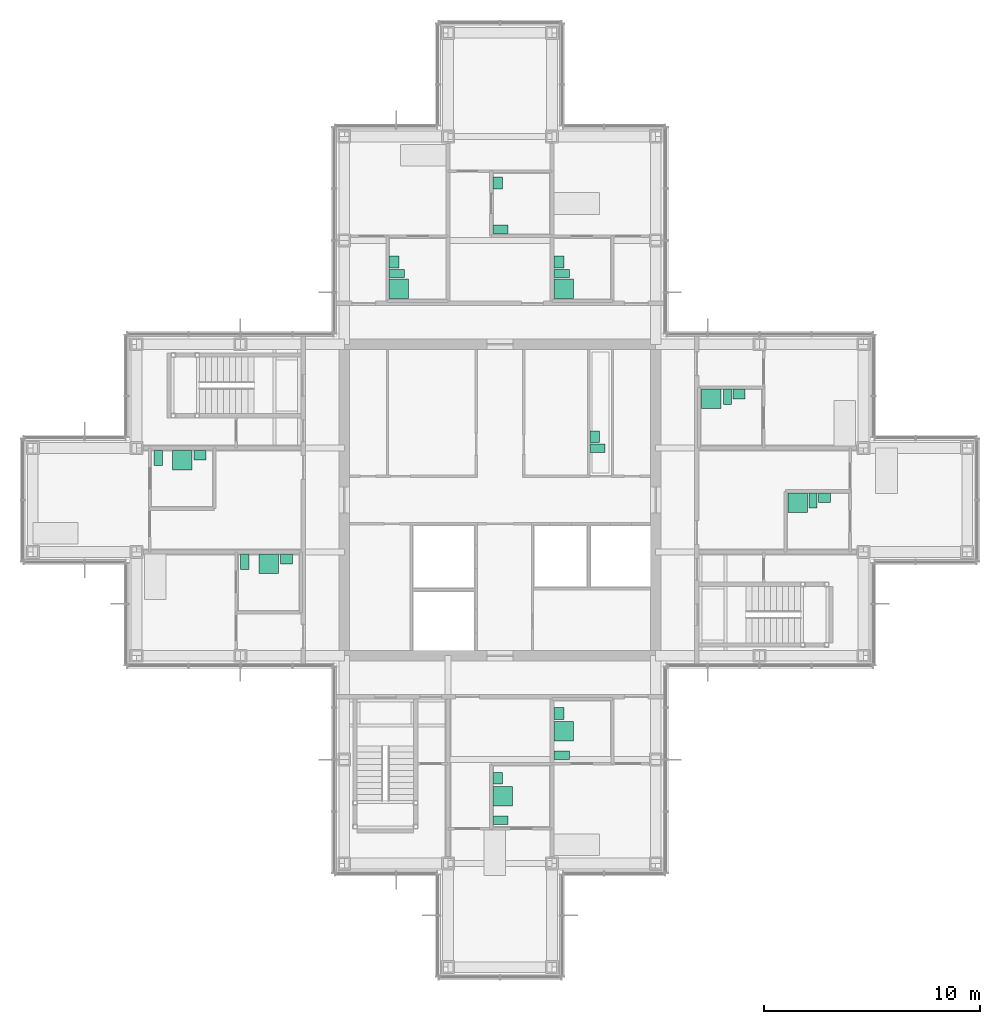
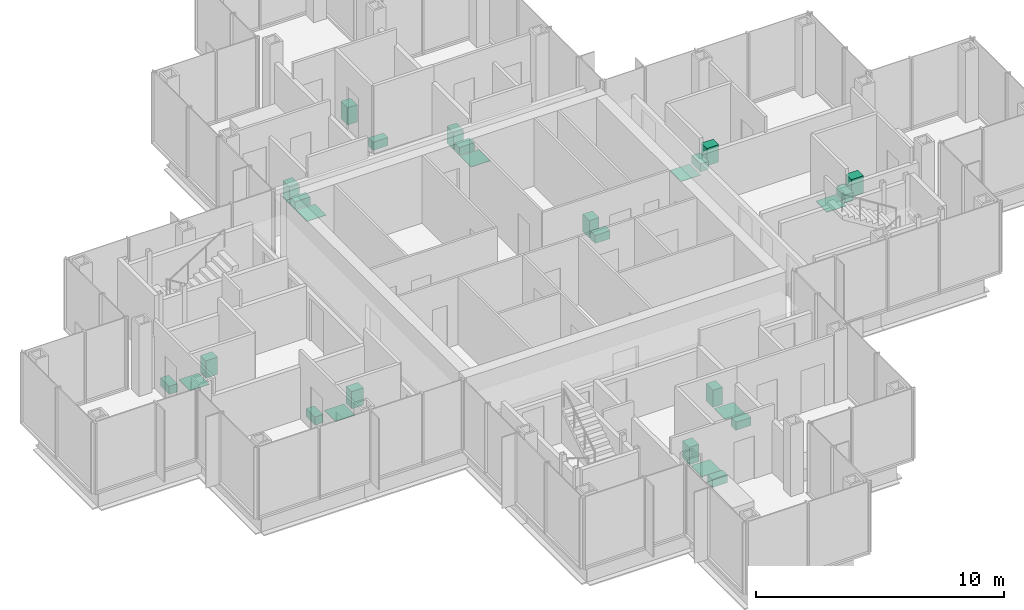
# One storey, part 16 of 17: 28 sanitary terminals.
"""IFC4 building model written with IfcOpenShell, lengths in metres."""

from ifc_helpers import new_model, si_unit, direction, frame, origin, origin_2d, place, context, subcontext, project, spatial, rectangle, extrude, material, type_object, element, save


model = new_model("IFC4")

# Units and contexts
model_context = context("Model", 3, precision=1e-05, world=origin(), true_north=direction((0.0, 1.0)))
body_context = subcontext(model_context, "Body", "Model", "MODEL_VIEW")
ifc_project = project(units=[si_unit("LENGTHUNIT", "METRE"), si_unit("AREAUNIT", "SQUARE_METRE"), si_unit("VOLUMEUNIT", "CUBIC_METRE"), si_unit("PLANEANGLEUNIT", "RADIAN"), si_unit("MASSUNIT", "GRAM", prefix="KILO")], contexts=[model_context])

# Site, building, storey
site_placement = place(None, origin())
site = spatial("IfcSite", under=ifc_project, at=site_placement, CompositionType="ELEMENT")
building_placement = place(site_placement, origin())
building = spatial("IfcBuilding", under=site, at=building_placement, Name="Kvirike Care Tower", CompositionType="ELEMENT")
storey_placement = place(building_placement, frame((0.0, 0.0, 183.0)))
storey = spatial("IfcBuildingStorey", under=building, at=storey_placement, Name="L50", CompositionType="ELEMENT", Elevation=183.0)

# Sanitary terminals
ifc_material_1 = material(Name="Stainless steel", Category="steel")
sanitary_terminal_type_1 = type_object("IfcSanitaryTerminalType", Name="LEVEL-ACCESS SHOWER 900 x 900", PredefinedType="SHOWER", material=ifc_material_1)
for number, where, z_axis, x_axis, name in (
    (1, (6.909912109375, 37.847900390625, 0.02001953125), (0.0, 0.0, 1.0), (1.0, 0.0, 0.0), "Level-access shower L50-006"),
    (2, (10.909912109375, 33.048095703125, 0.02001953125), (0.0, 0.0, 1.0), (1.0, 0.0, 0.0), "Level-access shower L50-009"),
    (3, (21.72705078125, 22.31005859375, 0.02001953125), (0.0, 0.0, 1.0), (0.0, 1.0, 0.0), "Level-access shower L50-016"),
    (4, (24.552001953125, 25.31005859375, 0.02001953125), (0.0, 0.0, 1.0), (0.0, 1.0, 0.0), "Level-access shower L50-019"),
    (5, (24.552001953125, 45.77490234375, 0.02001953125), (0.0, 0.0, 1.0), (0.0, 1.0, 0.0), "Level-access shower L50-023"),
    (6, (16.927001953125, 45.77490234375, 0.02001953125), (0.0, 0.0, 1.0), (0.0, 1.0, 0.0), "Level-access shower L50-029"),
    (7, (35.375, 35.873046875, 0.02001953125), (0.0, 0.0, 1.0), (1.0, 0.0, 0.0), "Level-access shower L50-036"),
    (8, (31.375, 40.673095703125, 0.02001953125), (0.0, 0.0, 1.0), (1.0, 0.0, 0.0), "Level-access shower L50-039"),
):
    element("IfcSanitaryTerminal", number, at=place(storey_placement, frame(where, z_axis=z_axis, x_axis=x_axis)), inside=storey, type_object=sanitary_terminal_type_1, Name=name, PredefinedType="SHOWER", context=body_context, shape_type="SweptSolid", body=[
        extrude(rectangle(XDim=0.89990234375, YDim=0.89990234375, at=origin_2d()), origin(), (0.0, 0.0, 1.0), 0.02001953125),
    ])
ifc_material_2 = material(Name="Vitreous china", Category="ceramic")
sanitary_terminal_type_2 = type_object("IfcSanitaryTerminalType", Name="WASH BASIN 550 x 450", PredefinedType="WASHHANDBASIN", material=ifc_material_2)
for number, where, z_axis, x_axis, name in (
    (9, (7.735107421875, 38.072998046875, 0.02001953125), (0.0, 0.0, 1.0), (1.0, 0.0, 0.0), "Wash basin L50-006"),
    (10, (11.735107421875, 33.27294921875, 0.02001953125), (0.0, 0.0, 1.0), (1.0, 0.0, 0.0), "Wash basin L50-009"),
    (11, (21.501953125, 23.135009765625, 0.02001953125), (0.0, 0.0, 1.0), (0.0, 1.0, 0.0), "Wash basin L50-016"),
    (12, (24.326904296875, 26.135009765625, 0.02001953125), (0.0, 0.0, 1.0), (0.0, 1.0, 0.0), "Wash basin L50-019"),
    (13, (24.326904296875, 47.0, 0.02001953125), (0.0, 0.0, 1.0), (0.0, 1.0, 0.0), "Wash basin L50-023"),
    (14, (21.501953125, 50.64990234375, 0.02001953125), (0.0, 0.0, 1.0), (0.0, 1.0, 0.0), "Wash basin L50-026"),
    (15, (16.701904296875, 47.0, 0.02001953125), (0.0, 0.0, 1.0), (0.0, 1.0, 0.0), "Wash basin L50-029"),
    (16, (36.60009765625, 36.097900390625, 0.02001953125), (0.0, 0.0, 1.0), (1.0, 0.0, 0.0), "Wash basin L50-036"),
    (17, (32.64990234375, 40.89794921875, 0.02001953125), (0.0, 0.0, 1.0), (1.0, 0.0, 0.0), "Wash basin L50-039"),
    (18, (25.97705078125, 38.925048828125, 0.02001953125), (0.0, 0.0, 1.0), (0.0, 1.0, 0.0), "Wash basin L50-047"),
):
    element("IfcSanitaryTerminal", number, at=place(storey_placement, frame(where, z_axis=z_axis, x_axis=x_axis)), inside=storey, type_object=sanitary_terminal_type_2, Name=name, PredefinedType="WASHHANDBASIN", context=body_context, shape_type="SweptSolid", body=[
        extrude(rectangle(XDim=0.550048828125, YDim=0.449951171875, at=origin_2d()), origin(), (0.0, 0.0, 1.0), 0.85009765625),
    ])
ifc_material_3 = material(Name="Vitreous china", Category="ceramic")
sanitary_terminal_type_3 = type_object("IfcSanitaryTerminalType", Name="WC PAN 380 x 700", PredefinedType="TOILETPAN", material=ifc_material_3)
for number, where, z_axis, x_axis, name in (
    (19, (5.800048828125, 37.947998046875, 0.02001953125), (0.0, 0.0, 1.0), (1.0, 0.0, 0.0), "WC pan L50-006"),
    (20, (9.800048828125, 33.14794921875, 0.02001953125), (0.0, 0.0, 1.0), (1.0, 0.0, 0.0), "WC pan L50-009"),
    (21, (21.626953125, 21.199951171875, 0.02001953125), (0.0, 0.0, 1.0), (0.0, 1.0, 0.0), "WC pan L50-016"),
    (22, (24.451904296875, 24.199951171875, 0.02001953125), (0.0, 0.0, 1.0), (0.0, 1.0, 0.0), "WC pan L50-019"),
    (23, (24.451904296875, 46.465087890625, 0.02001953125), (0.0, 0.0, 1.0), (0.0, 1.0, 0.0), "WC pan L50-023"),
    (24, (21.626953125, 48.514892578125, 0.02001953125), (0.0, 0.0, 1.0), (0.0, 1.0, 0.0), "WC pan L50-026"),
    (25, (16.826904296875, 46.465087890625, 0.02001953125), (0.0, 0.0, 1.0), (0.0, 1.0, 0.0), "WC pan L50-029"),
    (26, (36.06494140625, 35.972900390625, 0.02001953125), (0.0, 0.0, 1.0), (1.0, 0.0, 0.0), "WC pan L50-036"),
    (27, (32.114990234375, 40.77294921875, 0.02001953125), (0.0, 0.0, 1.0), (1.0, 0.0, 0.0), "WC pan L50-039"),
    (28, (26.10205078125, 38.389892578125, 0.02001953125), (0.0, 0.0, 1.0), (0.0, 1.0, 0.0), "WC pan L50-047"),
):
    element("IfcSanitaryTerminal", number, at=place(storey_placement, frame(where, z_axis=z_axis, x_axis=x_axis)), inside=storey, type_object=sanitary_terminal_type_3, Name=name, PredefinedType="TOILETPAN", context=body_context, shape_type="SweptSolid", body=[
        extrude(rectangle(XDim=0.3798828125, YDim=0.699951171875, at=origin_2d()), origin(), (0.0, 0.0, 1.0), 0.39990234375),
    ])

save(model, "model.ifc")
